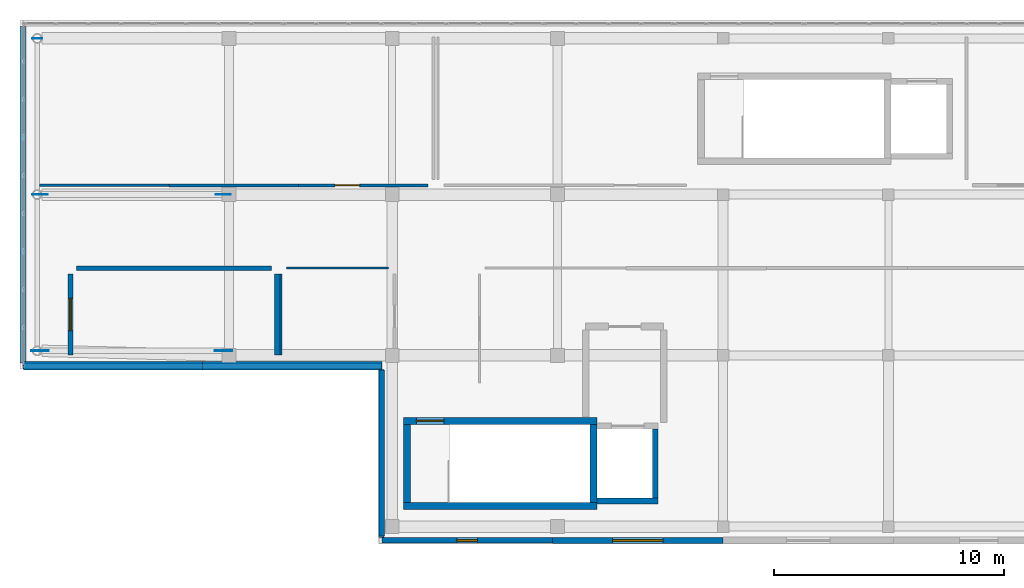
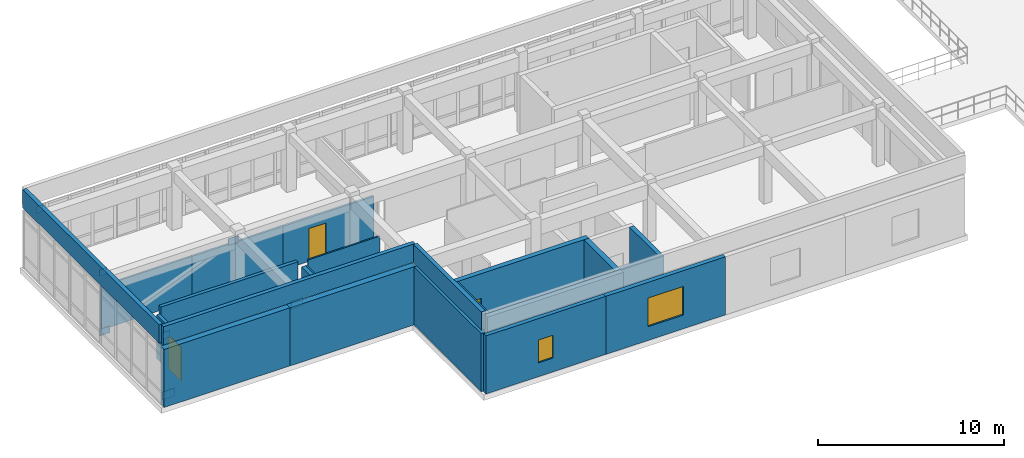
# One storey, part 12 of 14: 22 walls, 7 plates, 3 doors, 2 windows, 5 openings.
"""IFC4 building model written with IfcOpenShell, lengths in metres."""

import ifcopenshell
import ifcopenshell.guid

model = None  # the IFC model being written
_history = None  # IfcOwnerHistory: only IFC2X3 demands one
_inside = {}  # id of a spatial element -> (the spatial element, [elements in it])
_under = {}  # id of a project, library or spatial element -> (it, [spatial elements below it])
_declared = {}  # id of a project -> (the project, [libraries it declares])
_typed = {}  # id of a type object -> (the type object, [elements of that type])
_made_of = {}  # id of a material, layer set ... -> (it, [elements and type objects made of it])


def new_model(schema):
    """Start an empty IFC model of exactly this schema.

    Asked for "IFC4X3", IfcOpenShell would pick the latest addendum, in which some entities
    have other attributes; the version numbers below select the first issue.
    IFC2X3 requires an IfcOwnerHistory on every rooted entity: one is made here for all.
    """
    global model, _history
    if schema == "IFC4X3":
        model = ifcopenshell.file(schema_version=(4, 3, 0, 0))
    else:
        model = ifcopenshell.file(schema=schema)
    _inside.clear()
    _under.clear()
    _declared.clear()
    _typed.clear()
    _made_of.clear()
    _history = None
    if model.schema == "IFC2X3":
        org = make("IfcOrganization", Name="unknown")
        user = make(
            "IfcPersonAndOrganization",
            ThePerson=make("IfcPerson", FamilyName="unknown"),
            TheOrganization=org,
        )
        app = make(
            "IfcApplication",
            ApplicationDeveloper=org,
            Version="unknown",
            ApplicationFullName="unknown",
            ApplicationIdentifier="unknown",
        )
        _history = make(
            "IfcOwnerHistory",
            OwningUser=user,
            OwningApplication=app,
            ChangeAction="ADDED",
            CreationDate=0,
        )
    return model


def make(cls, **values):
    """One entity of the class cls with the attributes given. An attribute that is None is left unset."""
    return model.create_entity(
        cls, **{name: value for name, value in values.items() if value is not None}
    )


def rooted(cls, **values):
    """An entity with a GlobalId (a new one), such as an element, a storey or a relation."""
    return make(cls, GlobalId=ifcopenshell.guid.new(), OwnerHistory=_history, **values)


def si_unit(unit_type, name, prefix=None):
    """IfcSIUnit, for example si_unit("LENGTHUNIT", "METRE", prefix="MILLI")."""
    return make("IfcSIUnit", UnitType=unit_type, Prefix=prefix, Name=name)


def assignment(units):
    """IfcUnitAssignment: the units of a project."""
    return None if units is None else make("IfcUnitAssignment", Units=units)


def point(xyz):
    """IfcCartesianPoint."""
    return None if xyz is None else make("IfcCartesianPoint", Coordinates=xyz)


def direction(xyz):
    """IfcDirection."""
    return None if xyz is None else make("IfcDirection", DirectionRatios=xyz)


def frame(location, z_axis=None, x_axis=None):
    """IfcAxis2Placement3D, a coordinate frame: its origin and axes. An axis left out is left unset."""
    return make(
        "IfcAxis2Placement3D",
        Location=point(location),
        Axis=direction(z_axis),
        RefDirection=direction(x_axis),
    )


def frame_2d(location, x_axis=None):
    """IfcAxis2Placement2D, a coordinate frame in the plane: its origin and x axis."""
    return make(
        "IfcAxis2Placement2D", Location=point(location), RefDirection=direction(x_axis)
    )


def origin():
    """The frame at (0, 0, 0) with its axes left unset."""
    return frame((0.0, 0.0, 0.0))


def origin_2d():
    """The frame at (0, 0) in the plane with its x axis left unset."""
    return frame_2d((0.0, 0.0))


def place(relative_to, where):
    """IfcLocalPlacement: puts the frame where relative to a parent placement (None: the world)."""
    return make(
        "IfcLocalPlacement", PlacementRelTo=relative_to, RelativePlacement=where
    )


def context(
    kind, dimensions, precision=None, world=None, true_north=None, identifier=None
):
    """IfcGeometricRepresentationContext, for example the 3D "Model" context."""
    return make(
        "IfcGeometricRepresentationContext",
        ContextIdentifier=identifier,
        ContextType=kind,
        CoordinateSpaceDimension=dimensions,
        Precision=precision,
        WorldCoordinateSystem=world,
        TrueNorth=true_north,
    )


def subcontext(parent, identifier, kind, view, scale=None):
    """IfcGeometricRepresentationSubContext, for example "Body" below "Model"."""
    return make(
        "IfcGeometricRepresentationSubContext",
        ContextIdentifier=identifier,
        ContextType=kind,
        ParentContext=parent,
        TargetScale=scale,
        TargetView=view,
    )


def project(units=None, contexts=None):
    """IfcProject with its units and contexts."""
    return rooted(
        "IfcProject",
        Name="project",
        RepresentationContexts=contexts,
        UnitsInContext=assignment(units),
    )


def spatial(cls, under=None, at=None, **own):
    """A site, building, storey or space (cls), placed at a placement, below another one or the project."""
    s = rooted(cls, ObjectPlacement=at, **own)
    if under is not None:
        _under.setdefault(under.id(), (under, []))[1].append(s)
    return s


def profile(cls, at=None, kind="AREA", **sizes):
    """A parametric profile (cls). Its sizes go by their IFC names, for example OverallWidth=200.0."""
    return make(cls, ProfileType=kind, Position=at, **sizes)


def rectangle(**sizes):
    """IfcRectangleProfileDef."""
    return profile("IfcRectangleProfileDef", **sizes)


def extrude(swept, where, along, depth):
    """IfcExtrudedAreaSolid: the profile swept, set in the frame where, extruded along a direction by depth."""
    return make(
        "IfcExtrudedAreaSolid",
        SweptArea=swept,
        Position=where,
        ExtrudedDirection=direction(along),
        Depth=depth,
    )


def shape(context_of_items, identifier, shape_type, items):
    """IfcShapeRepresentation: the items that make up one representation, for example the "Body"."""
    return make(
        "IfcShapeRepresentation",
        ContextOfItems=context_of_items,
        RepresentationIdentifier=identifier,
        RepresentationType=shape_type,
        Items=items,
    )


def material(Name=None, Category=None):
    """IfcMaterial."""
    return make("IfcMaterial", Name=Name, Category=Category)


def layer(
    of_material, thickness, ventilated=None, Name=None, Category=None, Priority=None
):
    """IfcMaterialLayer: one layer of a wall or slab, of a material (None: an air gap)."""
    return make(
        "IfcMaterialLayer",
        Material=of_material,
        LayerThickness=thickness,
        IsVentilated=ventilated,
        Name=Name,
        Category=Category,
        Priority=Priority,
    )


def layer_set(layers, Name=None):
    """IfcMaterialLayerSet."""
    return make("IfcMaterialLayerSet", MaterialLayers=layers, LayerSetName=Name)


def made_of(thing, what):
    """Note that an element or type object is made of a material, layer set ...; save() writes the relation."""
    if what is not None:
        _made_of.setdefault(what.id(), (what, []))[1].append(thing)
    return thing


def type_object(cls, material=None, **own):
    """A type object (cls), such as IfcWallType, which elements share."""
    return made_of(rooted(cls, **own), material)


def element(
    cls,
    number,
    at=None,
    inside=None,
    cuts=None,
    type_object=None,
    material=None,
    context=None,
    identifier="Body",
    shape_type=None,
    held_by="IfcProductDefinitionShape",
    body=None,
    shapes=None,
    **own,
):
    """One element of the class cls, such as IfcWall. Its Tag is "e" and its number.

    at: its placement. inside: the storey or other place that contains it. cuts: it is an
    opening in that element (IfcRelVoidsElement). A single representation is given by context,
    identifier, shape_type and body (its items); several are given by shapes. held_by: the class
    of the entity that holds the representations. save() writes the other relations.
    """
    e = rooted(cls, Tag="e%d" % number, ObjectPlacement=at, **own)
    if body is not None:
        shapes = [shape(context, identifier, shape_type, body)]
    if shapes is not None:
        e.Representation = make(held_by, Representations=shapes)
    if inside is not None:
        _inside.setdefault(inside.id(), (inside, []))[1].append(e)
    if cuts is not None:
        rooted(
            "IfcRelVoidsElement", RelatingBuildingElement=cuts, RelatedOpeningElement=e
        )
    if type_object is not None:
        _typed.setdefault(type_object.id(), (type_object, []))[1].append(e)
    return made_of(e, material)


def fill(opening, filler):
    """IfcRelFillsElement: the door or window that sits in an opening."""
    return rooted(
        "IfcRelFillsElement",
        RelatingOpeningElement=opening,
        RelatedBuildingElement=filler,
    )


def aggregate(whole, parts):
    """IfcRelAggregates: a whole, such as a stair, and the parts it consists of."""
    return rooted("IfcRelAggregates", RelatingObject=whole, RelatedObjects=parts)


def save(model, path):
    """Write the relations noted so far, then the file.

    IfcRelAggregates (storeys below a building ...), IfcRelContainedInSpatialStructure (elements
    in a storey), IfcRelDefinesByType, IfcRelAssociatesMaterial and IfcRelDeclares: one each for
    every whole, place, type object, material and project.
    """
    for whole, parts in _under.values():
        aggregate(whole, parts)
    for where, things in _inside.values():
        rooted(
            "IfcRelContainedInSpatialStructure",
            RelatedElements=things,
            RelatingStructure=where,
        )
    for kind, things in _typed.values():
        rooted("IfcRelDefinesByType", RelatedObjects=things, RelatingType=kind)
    for what, things in _made_of.values():
        rooted("IfcRelAssociatesMaterial", RelatedObjects=things, RelatingMaterial=what)
    for by, libraries in _declared.values():
        rooted("IfcRelDeclares", RelatingContext=by, RelatedDefinitions=libraries)
    model.write(path)


model = new_model("IFC4")

# Units and contexts
model_context = context("Model", 3, precision=1e-05, world=origin(), true_north=direction((0.0, 1.0)))
body_context = subcontext(model_context, "Body", "Model", "MODEL_VIEW")
ifc_project = project(units=[si_unit("LENGTHUNIT", "METRE"), si_unit("AREAUNIT", "SQUARE_METRE"), si_unit("VOLUMEUNIT", "CUBIC_METRE"), si_unit("PLANEANGLEUNIT", "RADIAN"), si_unit("MASSUNIT", "GRAM", prefix="KILO")], contexts=[model_context])

# Site, building, storey
site_placement = place(None, origin())
site = spatial("IfcSite", under=ifc_project, at=site_placement, CompositionType="ELEMENT")
building_placement = place(site_placement, origin())
building = spatial("IfcBuilding", under=site, at=building_placement, Name="Valcora Specialist Clinic", CompositionType="ELEMENT")
storey_placement = place(building_placement, frame((0.0, 0.0, 21.760009765625)))
storey = spatial("IfcBuildingStorey", under=building, at=storey_placement, Name="L05", CompositionType="ELEMENT", Elevation=21.760009765625)

# Plates
ifc_material_1 = material(Name="Steel ASTM A572 Grade 50", Category="steel")
ifc_layer_1 = layer(ifc_material_1, 0.030029296875)
ifc_layer_set_1 = layer_set([ifc_layer_1], Name="Steel ASTM A572 Grade 50")
plate_type_1 = type_object("IfcPlateType", Name="TY-PL-CANT1", PredefinedType="USERDEFINED", material=ifc_layer_set_1)
for number, where, z_axis, x_axis, name in (
    (1, (8.85009765625, 8.39990234375, 3.030029296875), (0.0, 0.0, 1.0), (1.0, 0.0, 0.0), "Cantilever truss upper gusset L05"),
    (2, (0.8798828125, 8.39990234375, -0.1201171875), (0.0, 0.0, 1.0), (1.0, 0.0, 0.0), "Cantilever truss lower gusset L05"),
):
    element("IfcPlate", number, at=place(storey_placement, frame(where, z_axis=z_axis, x_axis=x_axis)), inside=storey, type_object=plate_type_1, Name=name, ObjectType="GUSSET_PLATE", PredefinedType="USERDEFINED", context=body_context, shape_type="SweptSolid", body=[
        extrude(rectangle(XDim=0.760009765625, YDim=0.030029296875, at=origin_2d()), origin(), (0.0, 0.0, 1.0), 0.52001953125),
    ])
ifc_layer_2 = layer(ifc_material_1, 0.028076171875)
ifc_layer_set_2 = layer_set([ifc_layer_2], Name="Steel ASTM A572 Grade 50")
plate_type_2 = type_object("IfcPlateType", Name="TY-PL-CANT2", PredefinedType="USERDEFINED", material=ifc_layer_set_2)
for number, where, z_axis, x_axis, name in (
    (3, (8.85009765625, 15.199951171875, 3.070068359375), (0.0, 0.0, 1.0), (1.0, 0.0, 0.0), "Cantilever truss upper gusset L05"),
    (4, (0.8798828125, 15.199951171875, -0.080078125), (0.0, 0.0, 1.0), (1.0, 0.0, 0.0), "Cantilever truss lower gusset L05"),
):
    element("IfcPlate", number, at=place(storey_placement, frame(where, z_axis=z_axis, x_axis=x_axis)), inside=storey, type_object=plate_type_2, Name=name, ObjectType="GUSSET_PLATE", PredefinedType="USERDEFINED", context=body_context, shape_type="SweptSolid", body=[
        extrude(rectangle(XDim=0.639892578125, YDim=0.028076171875, at=origin_2d()), origin(), (0.0, 0.0, 1.0), 0.43994140625),
    ])
ifc_layer_3 = layer(ifc_material_1, 0.02490234375)
ifc_layer_set_3 = layer_set([ifc_layer_3], Name="Steel ASTM A572 Grade 50")
plate_type_3 = type_object("IfcPlateType", Name="TY-PL-EC406", PredefinedType="USERDEFINED", material=ifc_layer_set_3)
for number, where, z_axis, x_axis, name in (
    (5, (0.75, 8.39990234375, 3.847412109375), (0.0, 0.0, 1.0), (1.0, 0.0, 0.0), "Column end-cap plate COL-L05-0542"),
    (6, (0.75, 15.199951171875, 3.847412109375), (0.0, 0.0, 1.0), (1.0, 0.0, 0.0), "Column end-cap plate COL-L05-0549"),
    (7, (0.75, 22.0, 3.847412109375), (0.0, 0.0, 1.0), (1.0, 0.0, 0.0), "Column end-cap plate COL-L05-0556"),
):
    element("IfcPlate", number, at=place(storey_placement, frame(where, z_axis=z_axis, x_axis=x_axis)), inside=storey, type_object=plate_type_3, Name=name, ObjectType="FLANGE_PLATE", PredefinedType="USERDEFINED", context=body_context, shape_type="SweptSolid", body=[
        extrude(rectangle(XDim=0.43994140625, YDim=0.02490234375, at=origin_2d()), origin(), (0.0, 0.0, 1.0), 0.43994140625),
    ])

# Wall
ifc_material_2 = material(Name="Concrete C40/50", Category="concrete")
ifc_layer_4 = layer(ifc_material_2, 0.300048828125)
ifc_layer_set_4 = layer_set([ifc_layer_4], Name="Concrete C40/50")
wall_type_1 = type_object("IfcWallType", Name="TY-WL-CR300", PredefinedType="SHEAR", material=ifc_layer_set_4)
wall_1_placement = place(storey_placement, frame((16.699951171875, 1.64990234375, 0.0), z_axis=(0.0, 0.0, 1.0), x_axis=(1.0, 0.0, 0.0)))
element("IfcWall", 8, at=wall_1_placement, inside=storey, type_object=wall_type_1, Name="Core shear wall WL-CR-C-V5A-L05-S", PredefinedType="SHEAR", context=body_context, shape_type="SweptSolid", body=[
    extrude(rectangle(XDim=8.420166015625, YDim=0.300048828125, at=frame_2d((4.2099609375, 0.0))), origin(), (0.0, 0.0, 1.0), 3.81005859375),
])

# Wall, opening, door
wall_2_placement = place(storey_placement, frame((16.699951171875, 5.35009765625, 0.0), z_axis=(0.0, 0.0, 1.0), x_axis=(1.0, 0.0, 0.0)))
wall_2 = element("IfcWall", 9, at=wall_2_placement, inside=storey, type_object=wall_type_1, Name="Core shear wall WL-CR-C-V5A-L05-N", PredefinedType="SHEAR", context=body_context, shape_type="SweptSolid", body=[
    extrude(rectangle(XDim=8.420166015625, YDim=0.300048828125, at=frame_2d((4.2099609375, 0.0))), origin(), (0.0, 0.0, 1.0), 3.81005859375),
])
opening_1_placement = place(wall_2_placement, frame((0.550048828125, 0.0, 0.0)))
opening_1 = element("IfcOpeningElement", 10, at=opening_1_placement, cuts=wall_2, Name="Opening DR-FD-120", PredefinedType="OPENING", context=body_context, shape_type="SweptSolid", body=[
    extrude(rectangle(XDim=1.199951171875, YDim=2.199951171875, at=frame_2d((0.60009765625, 1.10009765625))), frame((0.0, 0.159912109375, 0.0), z_axis=(0.0, -1.0, 0.0), x_axis=(1.0, 0.0, 0.0)), (0.0, 0.0, 1.0), 0.320068359375),
])
ifc_material_3 = material(Name="Galvanized Hollow Metal Door Steel ASTM A653", Category="steel")
door_type_1 = type_object("IfcDoorType", Name="TY-DR-ST120", OperationType="NOTDEFINED", PredefinedType="DOOR", material=ifc_material_3)
door_1_placement = place(opening_1_placement, origin())
door_1 = element("IfcDoor", 11, at=door_1_placement, inside=storey, type_object=door_type_1, Name="Exit stair fire door C-V5A L05", OperationType="SINGLE_SWING_RIGHT", OverallHeight=2.199951171875, OverallWidth=1.199951171875, PredefinedType="DOOR", context=body_context, shape_type="SweptSolid", body=[
    extrude(rectangle(XDim=1.199951171875, YDim=2.199951171875, at=frame_2d((0.60009765625, 1.10009765625))), frame((0.0, 0.02490234375, 0.0), z_axis=(0.0, -1.0, 0.0), x_axis=(1.0, 0.0, 0.0)), (0.0, 0.0, 1.0), 0.050048828125),
])
fill(opening_1, door_1)

# Walls
wall_3_placement = place(storey_placement, frame((16.85009765625, 1.802001953125, 0.0), z_axis=(0.0, 0.0, 1.0), x_axis=(0.0, 1.0, 0.0)))
element("IfcWall", 12, at=wall_3_placement, inside=storey, type_object=wall_type_1, Name="Core shear wall WL-CR-C-V5A-L05-W", PredefinedType="SHEAR", context=body_context, shape_type="SweptSolid", body=[
    extrude(rectangle(XDim=3.39599609375, YDim=0.300048828125, at=frame_2d((1.697998046875, 0.0))), origin(), (0.0, 0.0, 1.0), 3.81005859375),
])
ifc_layer_5 = layer(ifc_material_2, 0.320068359375)
ifc_layer_set_5 = layer_set([ifc_layer_5], Name="Concrete C40/50")
wall_type_2 = type_object("IfcWallType", Name="TY-WL-CR320", PredefinedType="SHEAR", material=ifc_layer_set_5)
wall_4_placement = place(storey_placement, frame((24.9599609375, 1.802001953125, 0.0), z_axis=(0.0, 0.0, 1.0), x_axis=(0.0, 1.0, 0.0)))
element("IfcWall", 13, at=wall_4_placement, inside=storey, type_object=wall_type_2, Name="Core shear wall WL-CR-C-V5A-L05-E", PredefinedType="SHEAR", context=body_context, shape_type="SweptSolid", body=[
    extrude(rectangle(XDim=3.39599609375, YDim=0.320068359375, at=frame_2d((1.697998046875, 0.0))), origin(), (0.0, 0.0, 1.0), 3.81005859375),
])
ifc_material_4 = material(Name="Extruded Jalisco Clay Brick Masonry", Category="masonry")
ifc_layer_6 = layer(ifc_material_4, 0.235107421875)
ifc_layer_set_6 = layer_set([ifc_layer_6], Name="Extruded Jalisco Clay Brick Masonry")
wall_type_3 = type_object("IfcWallType", Name="TY-WL-EW235", PredefinedType="SOLIDWALL", material=ifc_layer_set_6)
wall_5_placement = place(storey_placement, frame((15.75, 0.340087890625, 0.0), z_axis=(0.0, 0.0, 1.0), x_axis=(0.0, 1.0, 0.0)))
element("IfcWall", 14, at=wall_5_placement, inside=storey, type_object=wall_type_3, Name="Exterior wall WL-EXT-L05-0290", PredefinedType="SOLIDWALL", context=body_context, shape_type="SweptSolid", body=[
    extrude(rectangle(XDim=7.219970703125, YDim=0.235107421875, at=frame_2d((3.60986328125, 0.0))), origin(), (0.0, 0.0, 1.0), 3.81005859375),
])

# Wall, opening, window
ifc_layer_7 = layer(ifc_material_4, 0.25)
ifc_layer_set_7 = layer_set([ifc_layer_7], Name="Extruded Jalisco Clay Brick Masonry")
wall_type_4 = type_object("IfcWallType", Name="TY-WL-EW250", PredefinedType="SOLIDWALL", material=ifc_layer_set_7)
wall_6_placement = place(storey_placement, frame((23.175048828125, 0.14990234375, 0.0), z_axis=(0.0, 0.0, 1.0), x_axis=(-1.0, 0.0, 0.0)))
wall_6 = element("IfcWall", 15, at=wall_6_placement, inside=storey, type_object=wall_type_4, Name="Exterior wall WL-EXT-L05-0299", PredefinedType="SOLIDWALL", context=body_context, shape_type="SweptSolid", body=[
    extrude(rectangle(XDim=7.425048828125, YDim=0.25, at=frame_2d((3.71240234375, 0.0))), origin(), (0.0, 0.0, 1.0), 3.81005859375),
])
opening_2_placement = place(wall_6_placement, frame((3.262939453125, 0.0, 0.89990234375)))
opening_2 = element("IfcOpeningElement", 16, at=opening_2_placement, cuts=wall_6, Name="Opening WN-01", PredefinedType="OPENING", context=body_context, shape_type="SweptSolid", body=[
    extrude(rectangle(XDim=0.89990234375, YDim=1.5, at=frame_2d((0.449951171875, 0.75))), frame((0.0, 0.135009765625, 0.0), z_axis=(0.0, -1.0, 0.0), x_axis=(1.0, 0.0, 0.0)), (0.0, 0.0, 1.0), 0.27001953125),
])
ifc_material_5 = material(Name="Low-E Laminated Insulating Glass", Category="glass")
window_type_1 = type_object("IfcWindowType", Name="TY-WN-01", PartitioningType="SINGLE_PANEL", PredefinedType="WINDOW", material=ifc_material_5)
window_1_placement = place(opening_2_placement, origin())
window_1 = element("IfcWindow", 17, at=window_1_placement, inside=storey, type_object=window_type_1, Name="Facade window WN-L05-0253", OverallHeight=1.5, OverallWidth=0.89990234375, PartitioningType="SINGLE_PANEL", PredefinedType="WINDOW", context=body_context, shape_type="SweptSolid", body=[
    extrude(rectangle(XDim=0.89990234375, YDim=1.5, at=frame_2d((0.449951171875, 0.75))), frame((0.0, 0.030029296875, 0.0), z_axis=(0.0, -1.0, 0.0), x_axis=(1.0, 0.0, 0.0)), (0.0, 0.0, 1.0), 0.06005859375),
])
fill(opening_2, window_1)

ifc_layer_8 = layer(ifc_material_4, 0.264892578125)
ifc_layer_set_8 = layer_set([ifc_layer_8], Name="Extruded Jalisco Clay Brick Masonry")
wall_type_5 = type_object("IfcWallType", Name="TY-WL-EW265", PredefinedType="SOLIDWALL", material=ifc_layer_set_8)
wall_7_placement = place(storey_placement, frame((30.60009765625, 0.14990234375, 0.0), z_axis=(0.0, 0.0, 1.0), x_axis=(-1.0, 0.0, 0.0)))
wall_7 = element("IfcWall", 18, at=wall_7_placement, inside=storey, type_object=wall_type_5, Name="Exterior wall WL-EXT-L05-0298", PredefinedType="SOLIDWALL", context=body_context, shape_type="SweptSolid", body=[
    extrude(rectangle(XDim=7.425048828125, YDim=0.264892578125, at=frame_2d((3.71240234375, 0.0))), origin(), (0.0, 0.0, 1.0), 3.81005859375),
])
opening_3_placement = place(wall_7_placement, frame((2.623046875, 0.0, 0.89990234375)))
opening_3 = element("IfcOpeningElement", 19, at=opening_3_placement, cuts=wall_7, Name="Opening WN-42", PredefinedType="OPENING", context=body_context, shape_type="SweptSolid", body=[
    extrude(rectangle(XDim=2.179931640625, YDim=1.8798828125, at=frame_2d((1.08984375, 0.93994140625))), frame((0.0, 0.142333984375, 0.0), z_axis=(0.0, -1.0, 0.0), x_axis=(1.0, 0.0, 0.0)), (0.0, 0.0, 1.0), 0.284912109375),
])
window_type_2 = type_object("IfcWindowType", Name="TY-WN-42", PartitioningType="SINGLE_PANEL", PredefinedType="WINDOW", material=ifc_material_5)
window_2_placement = place(opening_3_placement, origin())
window_2 = element("IfcWindow", 20, at=window_2_placement, inside=storey, type_object=window_type_2, Name="Facade window WN-L05-0252", OverallHeight=1.8798828125, OverallWidth=2.179931640625, PartitioningType="SINGLE_PANEL", PredefinedType="WINDOW", context=body_context, shape_type="SweptSolid", body=[
    extrude(rectangle(XDim=2.179931640625, YDim=1.8798828125, at=frame_2d((1.08984375, 0.93994140625))), frame((0.0, 0.030029296875, 0.0), z_axis=(0.0, -1.0, 0.0), x_axis=(1.0, 0.0, 0.0)), (0.0, 0.0, 1.0), 0.06005859375),
])
fill(opening_3, window_2)

# Walls
ifc_layer_9 = layer(ifc_material_4, 0.35498046875)
ifc_layer_set_9 = layer_set([ifc_layer_9], Name="Extruded Jalisco Clay Brick Masonry")
wall_type_6 = type_object("IfcWallType", Name="TY-WL-EW355", PredefinedType="SOLIDWALL", material=ifc_layer_set_9)
wall_8_placement = place(storey_placement, frame((7.949951171875, 7.75, 0.0), z_axis=(0.0, 0.0, 1.0), x_axis=(-1.0, 0.0, 0.0)))
element("IfcWall", 21, at=wall_8_placement, inside=storey, type_object=wall_type_6, Name="Exterior wall WL-EXT-L05-0292", PredefinedType="SOLIDWALL", context=body_context, shape_type="SweptSolid", body=[
    extrude(rectangle(XDim=7.800048828125, YDim=0.35498046875, at=frame_2d((3.89990234375, 0.0))), origin(), (0.0, 0.0, 1.0), 3.81005859375),
])
ifc_layer_10 = layer(ifc_material_4, 0.3701171875)
ifc_layer_set_10 = layer_set([ifc_layer_10], Name="Extruded Jalisco Clay Brick Masonry")
wall_type_7 = type_object("IfcWallType", Name="TY-WL-EW370", PredefinedType="SOLIDWALL", material=ifc_layer_set_10)
wall_9_placement = place(storey_placement, frame((15.75, 7.75, 0.0), z_axis=(0.0, 0.0, 1.0), x_axis=(-1.0, 0.0, 0.0)))
element("IfcWall", 22, at=wall_9_placement, inside=storey, type_object=wall_type_7, Name="Exterior wall WL-EXT-L05-0291", PredefinedType="SOLIDWALL", context=body_context, shape_type="SweptSolid", body=[
    extrude(rectangle(XDim=7.800048828125, YDim=0.3701171875, at=frame_2d((3.89990234375, 0.0))), origin(), (0.0, 0.0, 1.0), 3.81005859375),
])
ifc_layer_11 = layer(ifc_material_4, 0.2451171875)
ifc_layer_set_11 = layer_set([ifc_layer_11], Name="Extruded Jalisco Clay Brick Masonry")
wall_type_8 = type_object("IfcWallType", Name="TY-WL-PP245", PredefinedType="PARAPET", material=ifc_layer_set_11)
wall_10_placement = place(storey_placement, frame((0.1298828125, 22.52001953125, 4.080078125), z_axis=(0.0, 0.0, 1.0), x_axis=(0.0, -1.0, 0.0)))
element("IfcWall", 23, at=wall_10_placement, inside=storey, type_object=wall_type_8, Name="Roof parapet 4", PredefinedType="PARAPET", context=body_context, shape_type="SweptSolid", body=[
    extrude(rectangle(XDim=14.64013671875, YDim=0.2451171875, at=frame_2d((7.320068359375, 0.0))), origin(), (0.0, 0.0, 1.0), 1.199951171875),
])
wall_11_placement = place(storey_placement, frame((0.1298828125, 7.72998046875, 4.080078125), z_axis=(0.0, 0.0, 1.0), x_axis=(1.0, 0.0, 0.0)))
element("IfcWall", 24, at=wall_11_placement, inside=storey, type_object=wall_type_8, Name="Roof parapet 5", PredefinedType="PARAPET", context=body_context, shape_type="SweptSolid", body=[
    extrude(rectangle(XDim=15.60009765625, YDim=0.2451171875, at=frame_2d((7.800048828125, 0.0))), origin(), (0.0, 0.0, 1.0), 1.199951171875),
])
wall_12_placement = place(storey_placement, frame((15.72998046875, 7.580078125, 4.080078125), z_axis=(0.0, 0.0, 1.0), x_axis=(0.0, -1.0, 0.0)))
element("IfcWall", 25, at=wall_12_placement, inside=storey, type_object=wall_type_8, Name="Roof parapet 6", PredefinedType="PARAPET", context=body_context, shape_type="SweptSolid", body=[
    extrude(rectangle(XDim=7.300048828125, YDim=0.2451171875, at=frame_2d((3.64990234375, 0.0))), origin(), (0.0, 0.0, 1.0), 1.199951171875),
])
ifc_material_6 = material(Name="Gypsum Board Partition Assembly")
ifc_layer_12 = layer(ifc_material_6, 0.094970703125)
ifc_layer_set_12 = layer_set([ifc_layer_12], Name="Gypsum Board Partition Assembly")
wall_type_9 = type_object("IfcWallType", Name="TY-WL-PT095", PredefinedType="PARTITIONING", material=ifc_layer_set_12)
wall_13_placement = place(storey_placement, frame((11.610107421875, 12.0, 0.0), z_axis=(0.0, 0.0, 1.0), x_axis=(1.0, 0.0, 0.0)))
element("IfcWall", 26, at=wall_13_placement, inside=storey, type_object=wall_type_9, Name="Interior partition WL-INT-L05-0509", PredefinedType="PARTITIONING", context=body_context, shape_type="SweptSolid", body=[
    extrude(rectangle(XDim=4.43994140625, YDim=0.094970703125, at=frame_2d((2.219970703125, 0.0))), origin(), (0.0, 0.0, 1.0), 3.010009765625),
])
ifc_layer_13 = layer(ifc_material_6, 0.10498046875)
ifc_layer_set_13 = layer_set([ifc_layer_13], Name="Gypsum Board Partition Assembly")
wall_type_10 = type_object("IfcWallType", Name="TY-WL-PT105", PredefinedType="PARTITIONING", material=ifc_layer_set_13)
wall_14_placement = place(storey_placement, frame((11.360107421875, 8.2099609375, 0.0), z_axis=(0.0, 0.0, 1.0), x_axis=(0.0, 1.0, 0.0)))
element("IfcWall", 27, at=wall_14_placement, inside=storey, type_object=wall_type_10, Name="Interior partition WL-INT-L05-0508", PredefinedType="PARTITIONING", context=body_context, shape_type="SweptSolid", body=[
    extrude(rectangle(XDim=3.5400390625, YDim=0.10498046875, at=frame_2d((1.77001953125, 0.0))), origin(), (0.0, 0.0, 1.0), 2.860107421875),
])
ifc_layer_14 = layer(ifc_material_6, 0.114990234375)
ifc_layer_set_14 = layer_set([ifc_layer_14], Name="Gypsum Board Partition Assembly")
wall_type_11 = type_object("IfcWallType", Name="TY-WL-PT115", PredefinedType="PARTITIONING", material=ifc_layer_set_14)
wall_15_placement = place(storey_placement, frame((6.48291015625, 15.60009765625, 0.0), z_axis=(0.0, 0.0, 1.0), x_axis=(-1.0, 0.0, 0.0)))
element("IfcWall", 28, at=wall_15_placement, inside=storey, type_object=wall_type_11, Name="Interior partition WL-INT-L05-0495", PredefinedType="PARTITIONING", context=body_context, shape_type="SweptSolid", body=[
    extrude(rectangle(XDim=5.6328125, YDim=0.114990234375, at=frame_2d((2.81640625, 0.0))), origin(), (0.0, 0.0, 1.0), 2.860107421875),
])
ifc_layer_15 = layer(ifc_material_6, 0.125)
ifc_layer_set_15 = layer_set([ifc_layer_15], Name="Gypsum Board Partition Assembly")
wall_type_12 = type_object("IfcWallType", Name="TY-WL-PT125", PredefinedType="PARTITIONING", material=ifc_layer_set_15)
wall_16_placement = place(storey_placement, frame((12.116943359375, 15.60009765625, 0.0), z_axis=(0.0, 0.0, 1.0), x_axis=(-1.0, 0.0, 0.0)))
element("IfcWall", 29, at=wall_16_placement, inside=storey, type_object=wall_type_12, Name="Interior partition WL-INT-L05-0494", PredefinedType="PARTITIONING", context=body_context, shape_type="SweptSolid", body=[
    extrude(rectangle(XDim=5.634033203125, YDim=0.125, at=frame_2d((2.81689453125, 0.0))), origin(), (0.0, 0.0, 1.0), 2.860107421875),
])

# Wall, opening, door
ifc_layer_16 = layer(ifc_material_6, 0.135009765625)
ifc_layer_set_16 = layer_set([ifc_layer_16], Name="Gypsum Board Partition Assembly")
wall_type_13 = type_object("IfcWallType", Name="TY-WL-PT135", PredefinedType="PARTITIONING", material=ifc_layer_set_16)
wall_17_placement = place(storey_placement, frame((17.75, 15.60009765625, 0.0), z_axis=(0.0, 0.0, 1.0), x_axis=(-1.0, 0.0, 0.0)))
wall_17 = element("IfcWall", 30, at=wall_17_placement, inside=storey, type_object=wall_type_13, Name="Interior partition WL-INT-L05-0493", PredefinedType="PARTITIONING", context=body_context, shape_type="SweptSolid", body=[
    extrude(rectangle(XDim=5.633056640625, YDim=0.135009765625, at=frame_2d((2.81640625, 0.0))), origin(), (0.0, 0.0, 1.0), 2.860107421875),
])
opening_4_placement = place(wall_17_placement, frame((2.971923828125, 0.0, 0.0)))
opening_4 = element("IfcOpeningElement", 31, at=opening_4_placement, cuts=wall_17, Name="Opening DR-CN-106", PredefinedType="OPENING", context=body_context, shape_type="SweptSolid", body=[
    extrude(rectangle(XDim=1.06005859375, YDim=2.14990234375, at=frame_2d((0.530029296875, 1.074951171875))), frame((0.0, 0.077392578125, 0.0), z_axis=(0.0, -1.0, 0.0), x_axis=(1.0, 0.0, 0.0)), (0.0, 0.0, 1.0), 0.155029296875),
])
ifc_material_7 = material(Name="Glulam Conifer Class 24F", Category="wood")
door_type_2 = type_object("IfcDoorType", Name="TY-DR-CN106", OperationType="NOTDEFINED", PredefinedType="DOOR", material=ifc_material_7)
door_2_placement = place(opening_4_placement, origin())
door_2 = element("IfcDoor", 32, at=door_2_placement, inside=storey, type_object=door_type_2, Name="Interior door DR-INT-L05-0138", OperationType="SINGLE_SWING_RIGHT", OverallHeight=2.14990234375, OverallWidth=1.06005859375, PredefinedType="DOOR", context=body_context, shape_type="SweptSolid", body=[
    extrude(rectangle(XDim=1.06005859375, YDim=2.14990234375, at=frame_2d((0.530029296875, 1.074951171875))), frame((0.0, 0.02490234375, 0.0), z_axis=(0.0, -1.0, 0.0), x_axis=(1.0, 0.0, 0.0)), (0.0, 0.0, 1.0), 0.050048828125),
])
fill(opening_4, door_2)

# Wall
ifc_material_8 = material(Name="Lead-Lined Gypsum Partition Assembly")
ifc_layer_17 = layer(ifc_material_8, 0.205078125)
ifc_layer_set_17 = layer_set([ifc_layer_17], Name="Lead-Lined Gypsum Partition Assembly")
wall_type_14 = type_object("IfcWallType", Name="TY-WL-PT205", PredefinedType="PARTITIONING", material=ifc_layer_set_17)
wall_18_placement = place(storey_placement, frame((2.449951171875, 12.0, 0.0), z_axis=(0.0, 0.0, 1.0), x_axis=(1.0, 0.0, 0.0)))
element("IfcWall", 33, at=wall_18_placement, inside=storey, type_object=wall_type_14, Name="Interior partition WL-INT-L05-0506", PredefinedType="PARTITIONING", context=body_context, shape_type="SweptSolid", body=[
    extrude(rectangle(XDim=8.5, YDim=0.205078125, at=frame_2d((4.25, 0.0))), origin(), (0.0, 0.0, 1.0), 3.159912109375),
])

# Wall, opening, door
ifc_layer_18 = layer(ifc_material_8, 0.215087890625)
ifc_layer_set_18 = layer_set([ifc_layer_18], Name="Lead-Lined Gypsum Partition Assembly")
wall_type_15 = type_object("IfcWallType", Name="TY-WL-PT215", PredefinedType="PARTITIONING", material=ifc_layer_set_18)
wall_19_placement = place(storey_placement, frame((2.199951171875, 8.2099609375, 0.0), z_axis=(0.0, 0.0, 1.0), x_axis=(0.0, 1.0, 0.0)))
wall_19 = element("IfcWall", 34, at=wall_19_placement, inside=storey, type_object=wall_type_15, Name="Interior partition WL-INT-L05-0505", PredefinedType="PARTITIONING", context=body_context, shape_type="SweptSolid", body=[
    extrude(rectangle(XDim=3.5400390625, YDim=0.215087890625, at=frame_2d((1.77001953125, 0.0))), origin(), (0.0, 0.0, 1.0), 2.860107421875),
])
opening_5_placement = place(wall_19_placement, frame((1.070068359375, 0.0, 0.0)))
opening_5 = element("IfcOpeningElement", 35, at=opening_5_placement, cuts=wall_19, Name="Opening DR-LB-140", PredefinedType="OPENING", context=body_context, shape_type="SweptSolid", body=[
    extrude(rectangle(XDim=1.39990234375, YDim=2.199951171875, at=frame_2d((0.699951171875, 1.10009765625))), frame((0.0, 0.117431640625, 0.0), z_axis=(0.0, -1.0, 0.0), x_axis=(1.0, 0.0, 0.0)), (0.0, 0.0, 1.0), 0.235107421875),
])
ifc_material_9 = material(Name="Anodized Bronze Aluminium 6063-T6", Category="aluminium")
door_type_3 = type_object("IfcDoorType", Name="TY-DR-LB140", OperationType="NOTDEFINED", PredefinedType="DOOR", material=ifc_material_9)
door_3_placement = place(opening_5_placement, origin())
door_3 = element("IfcDoor", 36, at=door_3_placement, inside=storey, type_object=door_type_3, Name="Interior door DR-INT-L05-0141", OperationType="SINGLE_SWING_LEFT", OverallHeight=2.199951171875, OverallWidth=1.39990234375, PredefinedType="DOOR", context=body_context, shape_type="SweptSolid", body=[
    extrude(rectangle(XDim=1.39990234375, YDim=2.199951171875, at=frame_2d((0.699951171875, 1.10009765625))), frame((0.0, 0.02490234375, 0.0), z_axis=(0.0, -1.0, 0.0), x_axis=(1.0, 0.0, 0.0)), (0.0, 0.0, 1.0), 0.050048828125),
])
fill(opening_5, door_3)

# Walls
ifc_layer_19 = layer(ifc_material_8, 0.22998046875)
ifc_layer_set_19 = layer_set([ifc_layer_19], Name="Lead-Lined Gypsum Partition Assembly")
wall_type_16 = type_object("IfcWallType", Name="TY-WL-PT230", PredefinedType="PARTITIONING", material=ifc_layer_set_19)
wall_20_placement = place(storey_placement, frame((11.199951171875, 11.75, 0.0), z_axis=(0.0, 0.0, 1.0), x_axis=(0.0, -1.0, 0.0)))
element("IfcWall", 37, at=wall_20_placement, inside=storey, type_object=wall_type_16, Name="Interior partition WL-INT-L05-0504", PredefinedType="PARTITIONING", context=body_context, shape_type="SweptSolid", body=[
    extrude(rectangle(XDim=3.5400390625, YDim=0.22998046875, at=frame_2d((1.77001953125, 0.0))), origin(), (0.0, 0.0, 1.0), 2.860107421875),
])
ifc_layer_20 = layer(ifc_material_2, 0.260009765625)
ifc_layer_set_20 = layer_set([ifc_layer_20], Name="Concrete C40/50")
wall_type_17 = type_object("IfcWallType", Name="TY-WL-SH260", PredefinedType="SHEAR", material=ifc_layer_set_20)
wall_21_placement = place(storey_placement, frame((25.1220703125, 1.8701171875, 0.0), z_axis=(0.0, 0.0, 1.0), x_axis=(1.0, 0.0, 0.0)))
element("IfcWall", 38, at=wall_21_placement, inside=storey, type_object=wall_type_17, Name="Lift shaft wall WL-LF-LF-05-L05-LS", PredefinedType="SHEAR", context=body_context, shape_type="SweptSolid", body=[
    extrude(rectangle(XDim=2.657958984375, YDim=0.260009765625, at=frame_2d((1.3291015625, 0.0))), origin(), (0.0, 0.0, 1.0), 3.81005859375),
])
wall_22_placement = place(storey_placement, frame((27.64990234375, 2.001953125, 0.0), z_axis=(0.0, 0.0, 1.0), x_axis=(0.0, 1.0, 0.0)))
element("IfcWall", 39, at=wall_22_placement, inside=storey, type_object=wall_type_17, Name="Lift shaft wall WL-LF-LF-05-L05-LE", PredefinedType="SHEAR", context=body_context, shape_type="SweptSolid", body=[
    extrude(rectangle(XDim=2.99609375, YDim=0.260009765625, at=frame_2d((1.498046875, 0.0))), origin(), (0.0, 0.0, 1.0), 3.81005859375),
])

save(model, "model.ifc")
